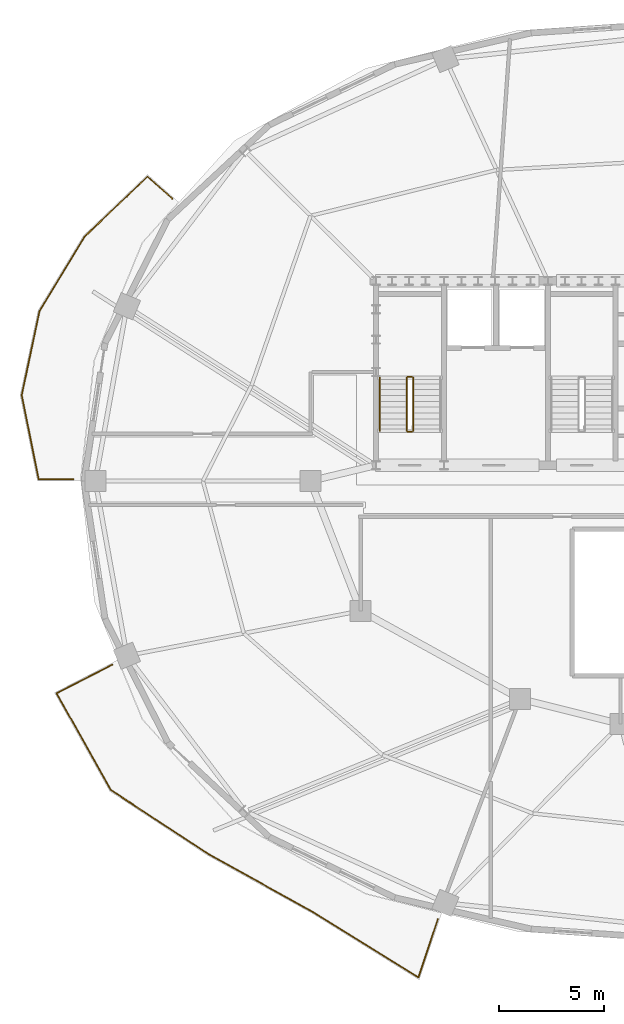
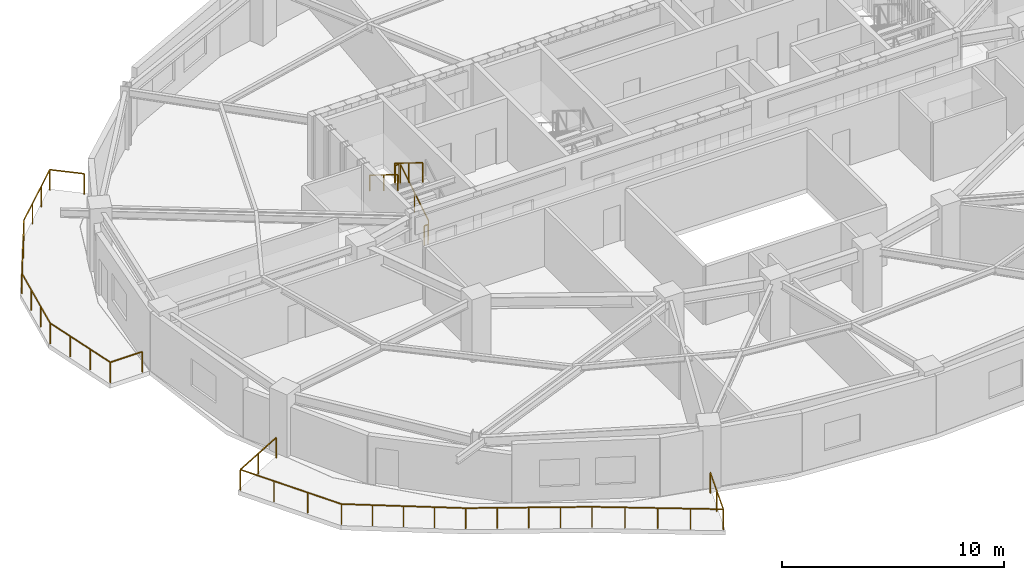
# One storey, part 7 of 11: 7 railings.
"""IFC4 building model written with IfcOpenShell, lengths in metres."""

import ifcopenshell
import ifcopenshell.guid

model = None  # the IFC model being written
_history = None  # IfcOwnerHistory: only IFC2X3 demands one
_inside = {}  # id of a spatial element -> (the spatial element, [elements in it])
_under = {}  # id of a project, library or spatial element -> (it, [spatial elements below it])
_declared = {}  # id of a project -> (the project, [libraries it declares])
_typed = {}  # id of a type object -> (the type object, [elements of that type])
_made_of = {}  # id of a material, layer set ... -> (it, [elements and type objects made of it])


def new_model(schema):
    """Start an empty IFC model of exactly this schema.

    Asked for "IFC4X3", IfcOpenShell would pick the latest addendum, in which some entities
    have other attributes; the version numbers below select the first issue.
    IFC2X3 requires an IfcOwnerHistory on every rooted entity: one is made here for all.
    """
    global model, _history
    if schema == "IFC4X3":
        model = ifcopenshell.file(schema_version=(4, 3, 0, 0))
    else:
        model = ifcopenshell.file(schema=schema)
    _inside.clear()
    _under.clear()
    _declared.clear()
    _typed.clear()
    _made_of.clear()
    _history = None
    if model.schema == "IFC2X3":
        org = make("IfcOrganization", Name="unknown")
        user = make(
            "IfcPersonAndOrganization",
            ThePerson=make("IfcPerson", FamilyName="unknown"),
            TheOrganization=org,
        )
        app = make(
            "IfcApplication",
            ApplicationDeveloper=org,
            Version="unknown",
            ApplicationFullName="unknown",
            ApplicationIdentifier="unknown",
        )
        _history = make(
            "IfcOwnerHistory",
            OwningUser=user,
            OwningApplication=app,
            ChangeAction="ADDED",
            CreationDate=0,
        )
    return model


def make(cls, **values):
    """One entity of the class cls with the attributes given. An attribute that is None is left unset."""
    return model.create_entity(
        cls, **{name: value for name, value in values.items() if value is not None}
    )


def rooted(cls, **values):
    """An entity with a GlobalId (a new one), such as an element, a storey or a relation."""
    return make(cls, GlobalId=ifcopenshell.guid.new(), OwnerHistory=_history, **values)


def si_unit(unit_type, name, prefix=None):
    """IfcSIUnit, for example si_unit("LENGTHUNIT", "METRE", prefix="MILLI")."""
    return make("IfcSIUnit", UnitType=unit_type, Prefix=prefix, Name=name)


def assignment(units):
    """IfcUnitAssignment: the units of a project."""
    return None if units is None else make("IfcUnitAssignment", Units=units)


def point(xyz):
    """IfcCartesianPoint."""
    return None if xyz is None else make("IfcCartesianPoint", Coordinates=xyz)


def direction(xyz):
    """IfcDirection."""
    return None if xyz is None else make("IfcDirection", DirectionRatios=xyz)


def frame(location, z_axis=None, x_axis=None):
    """IfcAxis2Placement3D, a coordinate frame: its origin and axes. An axis left out is left unset."""
    return make(
        "IfcAxis2Placement3D",
        Location=point(location),
        Axis=direction(z_axis),
        RefDirection=direction(x_axis),
    )


def frame_2d(location, x_axis=None):
    """IfcAxis2Placement2D, a coordinate frame in the plane: its origin and x axis."""
    return make(
        "IfcAxis2Placement2D", Location=point(location), RefDirection=direction(x_axis)
    )


def origin():
    """The frame at (0, 0, 0) with its axes left unset."""
    return frame((0.0, 0.0, 0.0))


def origin_2d():
    """The frame at (0, 0) in the plane with its x axis left unset."""
    return frame_2d((0.0, 0.0))


def place(relative_to, where):
    """IfcLocalPlacement: puts the frame where relative to a parent placement (None: the world)."""
    return make(
        "IfcLocalPlacement", PlacementRelTo=relative_to, RelativePlacement=where
    )


def context(
    kind, dimensions, precision=None, world=None, true_north=None, identifier=None
):
    """IfcGeometricRepresentationContext, for example the 3D "Model" context."""
    return make(
        "IfcGeometricRepresentationContext",
        ContextIdentifier=identifier,
        ContextType=kind,
        CoordinateSpaceDimension=dimensions,
        Precision=precision,
        WorldCoordinateSystem=world,
        TrueNorth=true_north,
    )


def subcontext(parent, identifier, kind, view, scale=None):
    """IfcGeometricRepresentationSubContext, for example "Body" below "Model"."""
    return make(
        "IfcGeometricRepresentationSubContext",
        ContextIdentifier=identifier,
        ContextType=kind,
        ParentContext=parent,
        TargetScale=scale,
        TargetView=view,
    )


def project(units=None, contexts=None):
    """IfcProject with its units and contexts."""
    return rooted(
        "IfcProject",
        Name="project",
        RepresentationContexts=contexts,
        UnitsInContext=assignment(units),
    )


def spatial(cls, under=None, at=None, **own):
    """A site, building, storey or space (cls), placed at a placement, below another one or the project."""
    s = rooted(cls, ObjectPlacement=at, **own)
    if under is not None:
        _under.setdefault(under.id(), (under, []))[1].append(s)
    return s


def profile(cls, at=None, kind="AREA", **sizes):
    """A parametric profile (cls). Its sizes go by their IFC names, for example OverallWidth=200.0."""
    return make(cls, ProfileType=kind, Position=at, **sizes)


def rectangle(**sizes):
    """IfcRectangleProfileDef."""
    return profile("IfcRectangleProfileDef", **sizes)


def extrude(swept, where, along, depth):
    """IfcExtrudedAreaSolid: the profile swept, set in the frame where, extruded along a direction by depth."""
    return make(
        "IfcExtrudedAreaSolid",
        SweptArea=swept,
        Position=where,
        ExtrudedDirection=direction(along),
        Depth=depth,
    )


def shape(context_of_items, identifier, shape_type, items):
    """IfcShapeRepresentation: the items that make up one representation, for example the "Body"."""
    return make(
        "IfcShapeRepresentation",
        ContextOfItems=context_of_items,
        RepresentationIdentifier=identifier,
        RepresentationType=shape_type,
        Items=items,
    )


def material(Name=None, Category=None):
    """IfcMaterial."""
    return make("IfcMaterial", Name=Name, Category=Category)


def made_of(thing, what):
    """Note that an element or type object is made of a material, layer set ...; save() writes the relation."""
    if what is not None:
        _made_of.setdefault(what.id(), (what, []))[1].append(thing)
    return thing


def type_object(cls, material=None, **own):
    """A type object (cls), such as IfcWallType, which elements share."""
    return made_of(rooted(cls, **own), material)


def element(
    cls,
    number,
    at=None,
    inside=None,
    cuts=None,
    type_object=None,
    material=None,
    context=None,
    identifier="Body",
    shape_type=None,
    held_by="IfcProductDefinitionShape",
    body=None,
    shapes=None,
    **own,
):
    """One element of the class cls, such as IfcWall. Its Tag is "e" and its number.

    at: its placement. inside: the storey or other place that contains it. cuts: it is an
    opening in that element (IfcRelVoidsElement). A single representation is given by context,
    identifier, shape_type and body (its items); several are given by shapes. held_by: the class
    of the entity that holds the representations. save() writes the other relations.
    """
    e = rooted(cls, Tag="e%d" % number, ObjectPlacement=at, **own)
    if body is not None:
        shapes = [shape(context, identifier, shape_type, body)]
    if shapes is not None:
        e.Representation = make(held_by, Representations=shapes)
    if inside is not None:
        _inside.setdefault(inside.id(), (inside, []))[1].append(e)
    if cuts is not None:
        rooted(
            "IfcRelVoidsElement", RelatingBuildingElement=cuts, RelatedOpeningElement=e
        )
    if type_object is not None:
        _typed.setdefault(type_object.id(), (type_object, []))[1].append(e)
    return made_of(e, material)


def aggregate(whole, parts):
    """IfcRelAggregates: a whole, such as a stair, and the parts it consists of."""
    return rooted("IfcRelAggregates", RelatingObject=whole, RelatedObjects=parts)


def save(model, path):
    """Write the relations noted so far, then the file.

    IfcRelAggregates (storeys below a building ...), IfcRelContainedInSpatialStructure (elements
    in a storey), IfcRelDefinesByType, IfcRelAssociatesMaterial and IfcRelDeclares: one each for
    every whole, place, type object, material and project.
    """
    for whole, parts in _under.values():
        aggregate(whole, parts)
    for where, things in _inside.values():
        rooted(
            "IfcRelContainedInSpatialStructure",
            RelatedElements=things,
            RelatingStructure=where,
        )
    for kind, things in _typed.values():
        rooted("IfcRelDefinesByType", RelatedObjects=things, RelatingType=kind)
    for what, things in _made_of.values():
        rooted("IfcRelAssociatesMaterial", RelatedObjects=things, RelatingMaterial=what)
    for by, libraries in _declared.values():
        rooted("IfcRelDeclares", RelatingContext=by, RelatedDefinitions=libraries)
    model.write(path)


model = new_model("IFC4")

# Units and contexts
model_context = context("Model", 3, precision=1e-05, world=origin(), true_north=direction((0.0, 1.0)))
body_context = subcontext(model_context, "Body", "Model", "MODEL_VIEW")
ifc_project = project(units=[si_unit("LENGTHUNIT", "METRE"), si_unit("AREAUNIT", "SQUARE_METRE"), si_unit("VOLUMEUNIT", "CUBIC_METRE"), si_unit("PLANEANGLEUNIT", "RADIAN"), si_unit("MASSUNIT", "GRAM", prefix="KILO")], contexts=[model_context])

# Site, building, storey
site_placement = place(None, origin())
site = spatial("IfcSite", under=ifc_project, at=site_placement, CompositionType="ELEMENT")
building_placement = place(site_placement, origin())
building = spatial("IfcBuilding", under=site, at=building_placement, Name="Haldorwick Loom Tower", CompositionType="ELEMENT")
storey_placement = place(building_placement, frame((0.0, 0.0, 234.0)))
storey = spatial("IfcBuildingStorey", under=building, at=storey_placement, Name="L63", CompositionType="ELEMENT", Elevation=234.0)

# Railings
ifc_material_1 = material(Name="Galvanized Steel CSA G40.21 350W", Category="steel")
railing_type_1 = type_object("IfcRailingType", Name="ARC-RLG-BAL115", PredefinedType="BALUSTRADE", material=ifc_material_1)
railing_1_placement = place(storey_placement, frame((24.88134765625, 5.08056640625, 0.0)))
element("IfcRailing", 1, at=railing_1_placement, inside=storey, type_object=railing_type_1, Name="L63 Outdoor Terrace Guardrail SLB-L63-BAL_SW-1", PredefinedType="BALUSTRADE", context=body_context, shape_type="SweptSolid", body=[
    extrude(rectangle(XDim=0.048095703125, YDim=0.048095703125, at=origin_2d()), frame((0.0, 0.0, 1.1259765625), z_axis=(-0.316627583339, -0.948549931985, 0.0), x_axis=(0.948549931985, -0.316627583339, 0.0)), (0.0, 0.0, 1.0), 2.930908203125),
    extrude(rectangle(XDim=0.048095703125, YDim=0.048095703125, at=origin_2d()), frame((-0.927978515625, -2.780029296875, 1.1259765625), z_axis=(-0.849558476044, 0.527494450949, 0.0), x_axis=(-0.527494450949, -0.849558476044, 0.0)), (0.0, 0.0, 1.0), 5.911376953125),
    extrude(rectangle(XDim=0.048095703125, YDim=0.048095703125, at=origin_2d()), frame((-5.949951171875, 0.338134765625, 1.1259765625), z_axis=(-0.841178475377, 0.540757591313, 0.0), x_axis=(-0.540757591313, -0.841178475377, 0.0)), (0.0, 0.0, 1.0), 0.004150390625),
    extrude(rectangle(XDim=0.048095703125, YDim=0.048095703125, at=origin_2d()), frame((-5.953369140625, 0.34033203125, 1.1259765625), z_axis=(-0.874794435456, 0.484494267969, 0.0), x_axis=(-0.484494267969, -0.874794435456, 0.0)), (0.0, 0.0, 1.0), 5.6865234375),
    extrude(rectangle(XDim=0.048095703125, YDim=0.048095703125, at=origin_2d()), frame((-10.927978515625, 3.095458984375, 1.1259765625), z_axis=(-0.836006040113, 0.548720239188, 0.0), x_axis=(-0.548720239188, -0.836006040113, 0.0)), (0.0, 0.0, 1.0), 5.600341796875),
    extrude(rectangle(XDim=0.048095703125, YDim=0.048095703125, at=origin_2d()), frame((-15.60986328125, 6.16845703125, 1.1259765625), z_axis=(-0.488904125023, 0.872337524434, 0.0), x_axis=(-0.872337524434, -0.488904125023, 0.0)), (0.0, 0.0, 1.0), 5.289306640625),
    extrude(rectangle(XDim=0.048095703125, YDim=0.048095703125, at=origin_2d()), frame((-18.19580078125, 10.782470703125, 1.1259765625), z_axis=(0.888615283662, 0.45865333057, 0.0), x_axis=(-0.45865333057, 0.888615283662, 0.0)), (0.0, 0.0, 1.0), 2.98681640625),
    extrude(rectangle(XDim=0.0419921875, YDim=0.0419921875, at=origin_2d()), origin(), (0.0, 0.0, 1.0), 1.101806640625),
    extrude(rectangle(XDim=0.0419921875, YDim=0.0419921875, at=origin_2d()), frame((-0.4638671875, -1.39013671875, 0.0)), (0.0, 0.0, 1.0), 1.101806640625),
    extrude(rectangle(XDim=0.0419921875, YDim=0.0419921875, at=origin_2d()), frame((-0.927978515625, -2.780029296875, 0.0)), (0.0, 0.0, 1.0), 1.101806640625),
    extrude(rectangle(XDim=0.0419921875, YDim=0.0419921875, at=origin_2d()), frame((-2.18359375, -2.00048828125, 0.0)), (0.0, 0.0, 1.0), 1.101806640625),
    extrude(rectangle(XDim=0.0419921875, YDim=0.0419921875, at=origin_2d()), frame((-3.43896484375, -1.220947265625, 0.0)), (0.0, 0.0, 1.0), 1.101806640625),
    extrude(rectangle(XDim=0.0419921875, YDim=0.0419921875, at=origin_2d()), frame((-4.6943359375, -0.44140625, 0.0)), (0.0, 0.0, 1.0), 1.101806640625),
    extrude(rectangle(XDim=0.0419921875, YDim=0.0419921875, at=origin_2d()), frame((-5.949951171875, 0.338134765625, 0.0)), (0.0, 0.0, 1.0), 1.101806640625),
    extrude(rectangle(XDim=0.0419921875, YDim=0.0419921875, at=origin_2d()), frame((-7.197021484375, 1.029052734375, 0.0)), (0.0, 0.0, 1.0), 1.101806640625),
    extrude(rectangle(XDim=0.0419921875, YDim=0.0419921875, at=origin_2d()), frame((-8.440673828125, 1.7177734375, 0.0)), (0.0, 0.0, 1.0), 1.101806640625),
    extrude(rectangle(XDim=0.0419921875, YDim=0.0419921875, at=origin_2d()), frame((-9.684326171875, 2.40673828125, 0.0)), (0.0, 0.0, 1.0), 1.101806640625),
    extrude(rectangle(XDim=0.0419921875, YDim=0.0419921875, at=origin_2d()), frame((-10.927978515625, 3.095458984375, 0.0)), (0.0, 0.0, 1.0), 1.101806640625),
    extrude(rectangle(XDim=0.0419921875, YDim=0.0419921875, at=origin_2d()), frame((-12.098388671875, 3.86376953125, 0.0)), (0.0, 0.0, 1.0), 1.101806640625),
    extrude(rectangle(XDim=0.0419921875, YDim=0.0419921875, at=origin_2d()), frame((-13.26904296875, 4.6318359375, 0.0)), (0.0, 0.0, 1.0), 1.101806640625),
    extrude(rectangle(XDim=0.0419921875, YDim=0.0419921875, at=origin_2d()), frame((-14.439453125, 5.400146484375, 0.0)), (0.0, 0.0, 1.0), 1.101806640625),
    extrude(rectangle(XDim=0.0419921875, YDim=0.0419921875, at=origin_2d()), frame((-15.60986328125, 6.16845703125, 0.0)), (0.0, 0.0, 1.0), 1.101806640625),
    extrude(rectangle(XDim=0.0419921875, YDim=0.0419921875, at=origin_2d()), frame((-16.471923828125, 7.70654296875, 0.0)), (0.0, 0.0, 1.0), 1.101806640625),
    extrude(rectangle(XDim=0.0419921875, YDim=0.0419921875, at=origin_2d()), frame((-17.333740234375, 9.244384765625, 0.0)), (0.0, 0.0, 1.0), 1.101806640625),
    extrude(rectangle(XDim=0.0419921875, YDim=0.0419921875, at=origin_2d()), frame((-18.19580078125, 10.782470703125, 0.0)), (0.0, 0.0, 1.0), 1.101806640625),
    extrude(rectangle(XDim=0.0419921875, YDim=0.0419921875, at=origin_2d()), frame((-16.86865234375, 11.46728515625, 0.0)), (0.0, 0.0, 1.0), 1.101806640625),
    extrude(rectangle(XDim=0.0419921875, YDim=0.0419921875, at=origin_2d()), frame((-15.541748046875, 12.15234375, 0.0)), (0.0, 0.0, 1.0), 1.101806640625),
])
railing_2_placement = place(storey_placement, frame((7.490478515625, 26.080078125, 0.0)))
element("IfcRailing", 2, at=railing_2_placement, inside=storey, type_object=railing_type_1, Name="L63 Outdoor Terrace Guardrail SLB-L63-BAL_WNW-1", PredefinedType="BALUSTRADE", context=body_context, shape_type="SweptSolid", body=[
    extrude(rectangle(XDim=0.048095703125, YDim=0.048095703125, at=origin_2d()), frame((0.0, 0.0, 1.1259765625), z_axis=(-1.0, 0.0, 0.0), x_axis=(0.0, -1.0, 0.0)), (0.0, 0.0, 1.0), 1.6630859375),
    extrude(rectangle(XDim=0.048095703125, YDim=0.048095703125, at=origin_2d()), frame((-1.6630859375, 0.0, 1.1259765625), z_axis=(-0.197952038477, 0.980211706961, 0.0), x_axis=(-0.980211706961, -0.197952038477, 0.0)), (0.0, 0.0, 1.0), 4.091064453125),
    extrude(rectangle(XDim=0.048095703125, YDim=0.048095703125, at=origin_2d()), frame((-2.472900390625, 4.010009765625, 1.1259765625), z_axis=(0.206899731291, 0.978362152371, 0.0), x_axis=(-0.978362152371, 0.206899731291, 0.0)), (0.0, 0.0, 1.0), 4.122802734375),
    extrude(rectangle(XDim=0.048095703125, YDim=0.048095703125, at=origin_2d()), frame((-1.619873046875, 8.043701171875, 1.1259765625), z_axis=(0.519108630806, 0.854708271531, 0.0), x_axis=(-0.854708271531, 0.519108630806, 0.0)), (0.0, 0.0, 1.0), 4.1494140625),
    extrude(rectangle(XDim=0.048095703125, YDim=0.048095703125, at=origin_2d()), frame((0.5341796875, 11.59033203125, 1.1259765625), z_axis=(0.723965488308, 0.689836191961, 0.0), x_axis=(-0.689836191961, 0.723965488308, 0.0)), (0.0, 0.0, 1.0), 4.141845703125),
    extrude(rectangle(XDim=0.048095703125, YDim=0.048095703125, at=origin_2d()), frame((3.53271484375, 14.447509765625, 1.1259765625), z_axis=(0.748157336586, -0.663521363418, 0.0), x_axis=(0.663521363418, 0.748157336586, 0.0)), (0.0, 0.0, 1.0), 1.583740234375),
    extrude(rectangle(XDim=0.0419921875, YDim=0.0419921875, at=origin_2d()), origin(), (0.0, 0.0, 1.0), 1.101806640625),
    extrude(rectangle(XDim=0.0419921875, YDim=0.0419921875, at=origin_2d()), frame((-1.6630859375, 0.0, 0.0)), (0.0, 0.0, 1.0), 1.101806640625),
    extrude(rectangle(XDim=0.0419921875, YDim=0.0419921875, at=origin_2d()), frame((-1.93310546875, 1.336669921875, 0.0)), (0.0, 0.0, 1.0), 1.101806640625),
    extrude(rectangle(XDim=0.0419921875, YDim=0.0419921875, at=origin_2d()), frame((-2.202880859375, 2.67333984375, 0.0)), (0.0, 0.0, 1.0), 1.101806640625),
    extrude(rectangle(XDim=0.0419921875, YDim=0.0419921875, at=origin_2d()), frame((-2.472900390625, 4.010009765625, 0.0)), (0.0, 0.0, 1.0), 1.101806640625),
    extrude(rectangle(XDim=0.0419921875, YDim=0.0419921875, at=origin_2d()), frame((-2.1884765625, 5.3544921875, 0.0)), (0.0, 0.0, 1.0), 1.101806640625),
    extrude(rectangle(XDim=0.0419921875, YDim=0.0419921875, at=origin_2d()), frame((-1.904296875, 6.69921875, 0.0)), (0.0, 0.0, 1.0), 1.101806640625),
    extrude(rectangle(XDim=0.0419921875, YDim=0.0419921875, at=origin_2d()), frame((-1.619873046875, 8.043701171875, 0.0)), (0.0, 0.0, 1.0), 1.101806640625),
    extrude(rectangle(XDim=0.0419921875, YDim=0.0419921875, at=origin_2d()), frame((-0.90185546875, 9.225830078125, 0.0)), (0.0, 0.0, 1.0), 1.101806640625),
    extrude(rectangle(XDim=0.0419921875, YDim=0.0419921875, at=origin_2d()), frame((-0.183837890625, 10.408203125, 0.0)), (0.0, 0.0, 1.0), 1.101806640625),
    extrude(rectangle(XDim=0.0419921875, YDim=0.0419921875, at=origin_2d()), frame((0.5341796875, 11.59033203125, 0.0)), (0.0, 0.0, 1.0), 1.101806640625),
    extrude(rectangle(XDim=0.0419921875, YDim=0.0419921875, at=origin_2d()), frame((1.53369140625, 12.542724609375, 0.0)), (0.0, 0.0, 1.0), 1.101806640625),
    extrude(rectangle(XDim=0.0419921875, YDim=0.0419921875, at=origin_2d()), frame((2.533203125, 13.4951171875, 0.0)), (0.0, 0.0, 1.0), 1.101806640625),
    extrude(rectangle(XDim=0.0419921875, YDim=0.0419921875, at=origin_2d()), frame((3.53271484375, 14.447509765625, 0.0)), (0.0, 0.0, 1.0), 1.101806640625),
    extrude(rectangle(XDim=0.0419921875, YDim=0.0419921875, at=origin_2d()), frame((4.717529296875, 13.396728515625, 0.0)), (0.0, 0.0, 1.0), 1.101806640625),
])
ifc_material_2 = material(Name="Steel CSA G40.21 350W", Category="steel")
railing_type_2 = type_object("IfcRailingType", Name="ARC-RLG-GUARD112", PredefinedType="GUARDRAIL", material=ifc_material_2)
railing_3_placement = place(storey_placement, frame((23.699951171875, 28.39990234375, 0.172607421875)))
element("IfcRailing", 3, at=railing_3_placement, inside=storey, type_object=railing_type_2, Name="L63 ST-01 stair guard 1", PredefinedType="GUARDRAIL", context=body_context, shape_type="SweptSolid", body=[
    extrude(rectangle(XDim=0.048095703125, YDim=0.048095703125, at=origin_2d()), frame((0.0, 0.0, 1.076171875), z_axis=(0.0, 0.851400495292, 0.524516154772), x_axis=(-1.0, 0.0, 0.0)), (0.0, 0.0, 1.0), 2.9599609375),
    extrude(rectangle(XDim=0.0419921875, YDim=0.0419921875, at=origin_2d()), origin(), (0.0, 0.0, 1.0), 1.052001953125),
    extrude(rectangle(XDim=0.0419921875, YDim=0.0419921875, at=origin_2d()), frame((0.0, 1.260009765625, 0.7763671875)), (0.0, 0.0, 1.0), 1.052001953125),
    extrude(rectangle(XDim=0.0419921875, YDim=0.0419921875, at=origin_2d()), frame((0.0, 2.52001953125, 1.552490234375)), (0.0, 0.0, 1.0), 1.052001953125),
])
railing_4_placement = place(storey_placement, frame((23.64990234375, 30.969970703125, 1.72509765625)))
element("IfcRailing", 4, at=railing_4_placement, inside=storey, type_object=railing_type_2, Name="L63 ST-01 stair guard 2", PredefinedType="GUARDRAIL", context=body_context, shape_type="SweptSolid", body=[
    extrude(rectangle(XDim=0.048095703125, YDim=0.048095703125, at=origin_2d()), frame((0.0, 0.0, 1.076171875), z_axis=(-1.0, 0.0, 0.0), x_axis=(0.0, -1.0, 0.0)), (0.0, 0.0, 1.0), 0.199951171875),
    extrude(rectangle(XDim=0.0419921875, YDim=0.0419921875, at=origin_2d()), origin(), (0.0, 0.0, 1.0), 1.052001953125),
    extrude(rectangle(XDim=0.0419921875, YDim=0.0419921875, at=origin_2d()), frame((-0.199951171875, 0.0, 0.0)), (0.0, 0.0, 1.0), 1.052001953125),
])
railing_5_placement = place(storey_placement, frame((23.39990234375, 30.919921875, 1.8974609375)))
element("IfcRailing", 5, at=railing_5_placement, inside=storey, type_object=railing_type_2, Name="L63 ST-01 stair guard 3", PredefinedType="GUARDRAIL", context=body_context, shape_type="SweptSolid", body=[
    extrude(rectangle(XDim=0.048095703125, YDim=0.048095703125, at=origin_2d()), frame((0.0, 0.0, 1.076171875), z_axis=(0.0, -0.851400495292, 0.524516154772), x_axis=(1.0, 0.0, 0.0)), (0.0, 0.0, 1.0), 2.9599609375),
    extrude(rectangle(XDim=0.0419921875, YDim=0.0419921875, at=origin_2d()), origin(), (0.0, 0.0, 1.0), 1.052001953125),
    extrude(rectangle(XDim=0.0419921875, YDim=0.0419921875, at=origin_2d()), frame((0.0, -1.260009765625, 0.7763671875)), (0.0, 0.0, 1.0), 1.052001953125),
    extrude(rectangle(XDim=0.0419921875, YDim=0.0419921875, at=origin_2d()), frame((0.0, -2.52001953125, 1.552490234375)), (0.0, 0.0, 1.0), 1.052001953125),
])
railing_6_placement = place(storey_placement, frame((23.64990234375, 28.35009765625, 0.0)))
element("IfcRailing", 6, at=railing_6_placement, inside=storey, type_object=railing_type_2, Name="L63 ST-01 stair guard 4", PredefinedType="GUARDRAIL", context=body_context, shape_type="SweptSolid", body=[
    extrude(rectangle(XDim=0.048095703125, YDim=0.048095703125, at=origin_2d()), frame((0.0, 0.0, 1.076171875), z_axis=(-1.0, 0.0, 0.0), x_axis=(0.0, -1.0, 0.0)), (0.0, 0.0, 1.0), 0.199951171875),
    extrude(rectangle(XDim=0.0419921875, YDim=0.0419921875, at=origin_2d()), origin(), (0.0, 0.0, 1.0), 1.052001953125),
    extrude(rectangle(XDim=0.0419921875, YDim=0.0419921875, at=origin_2d()), frame((-0.199951171875, 0.0, 0.0)), (0.0, 0.0, 1.0), 1.052001953125),
])
railing_type_3 = type_object("IfcRailingType", Name="ARC-RLG-HAND092", PredefinedType="HANDRAIL", material=ifc_material_2)
railing_7_placement = place(storey_placement, frame((22.10009765625, 30.919921875, 1.8974609375)))
element("IfcRailing", 7, at=railing_7_placement, inside=storey, type_object=railing_type_3, Name="L63 ST-01 stair handrail 2", PredefinedType="HANDRAIL", context=body_context, shape_type="SweptSolid", body=[
    extrude(rectangle(XDim=0.048095703125, YDim=0.048095703125, at=origin_2d()), frame((0.0, 0.0, 0.8759765625), z_axis=(0.0, -0.851400495292, 0.524516154772), x_axis=(1.0, 0.0, 0.0)), (0.0, 0.0, 1.0), 2.9599609375),
    extrude(rectangle(XDim=0.0419921875, YDim=0.0419921875, at=origin_2d()), origin(), (0.0, 0.0, 1.0), 0.851806640625),
    extrude(rectangle(XDim=0.0419921875, YDim=0.0419921875, at=origin_2d()), frame((0.0, -1.260009765625, 0.7763671875)), (0.0, 0.0, 1.0), 0.851806640625),
    extrude(rectangle(XDim=0.0419921875, YDim=0.0419921875, at=origin_2d()), frame((0.0, -2.52001953125, 1.552490234375)), (0.0, 0.0, 1.0), 0.851806640625),
])

save(model, "model.ifc")
